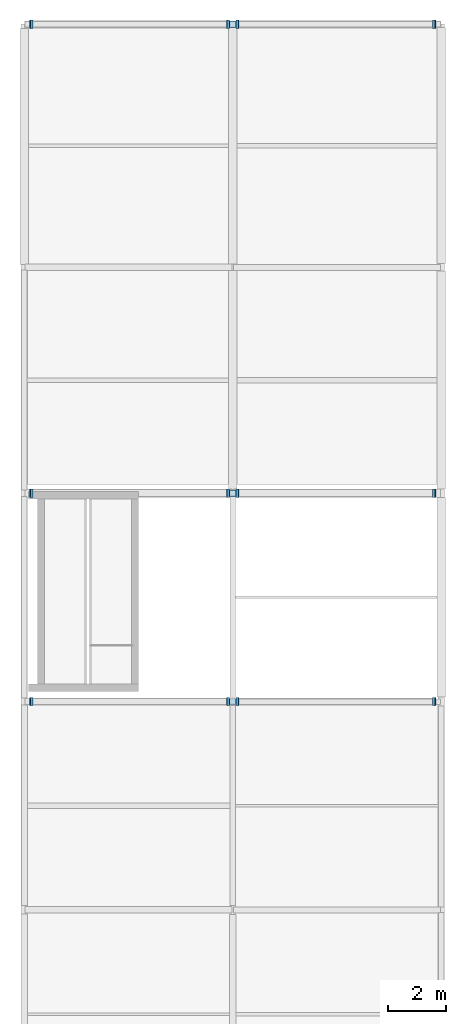
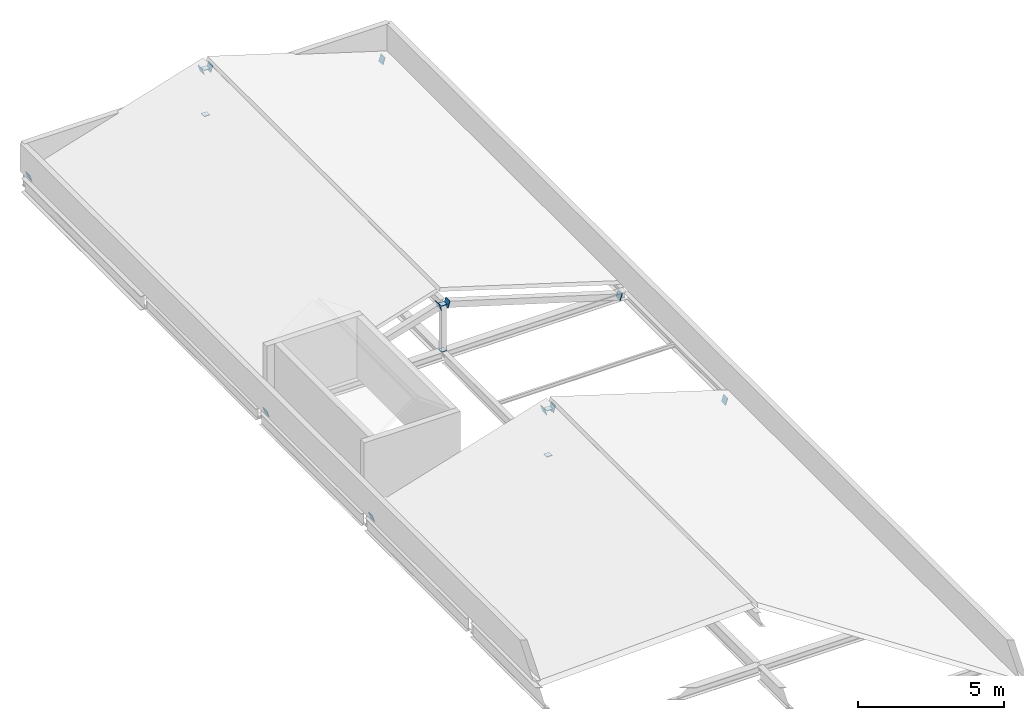
# One storey, part 7 of 9: 18 plates.
"""IFC4 building model written with IfcOpenShell, lengths in metres."""

import ifcopenshell
import ifcopenshell.guid

model = None  # the IFC model being written
_history = None  # IfcOwnerHistory: only IFC2X3 demands one
_inside = {}  # id of a spatial element -> (the spatial element, [elements in it])
_under = {}  # id of a project, library or spatial element -> (it, [spatial elements below it])
_declared = {}  # id of a project -> (the project, [libraries it declares])
_typed = {}  # id of a type object -> (the type object, [elements of that type])
_made_of = {}  # id of a material, layer set ... -> (it, [elements and type objects made of it])


def new_model(schema):
    """Start an empty IFC model of exactly this schema.

    Asked for "IFC4X3", IfcOpenShell would pick the latest addendum, in which some entities
    have other attributes; the version numbers below select the first issue.
    IFC2X3 requires an IfcOwnerHistory on every rooted entity: one is made here for all.
    """
    global model, _history
    if schema == "IFC4X3":
        model = ifcopenshell.file(schema_version=(4, 3, 0, 0))
    else:
        model = ifcopenshell.file(schema=schema)
    _inside.clear()
    _under.clear()
    _declared.clear()
    _typed.clear()
    _made_of.clear()
    _history = None
    if model.schema == "IFC2X3":
        org = make("IfcOrganization", Name="unknown")
        user = make(
            "IfcPersonAndOrganization",
            ThePerson=make("IfcPerson", FamilyName="unknown"),
            TheOrganization=org,
        )
        app = make(
            "IfcApplication",
            ApplicationDeveloper=org,
            Version="unknown",
            ApplicationFullName="unknown",
            ApplicationIdentifier="unknown",
        )
        _history = make(
            "IfcOwnerHistory",
            OwningUser=user,
            OwningApplication=app,
            ChangeAction="ADDED",
            CreationDate=0,
        )
    return model


def make(cls, **values):
    """One entity of the class cls with the attributes given. An attribute that is None is left unset."""
    return model.create_entity(
        cls, **{name: value for name, value in values.items() if value is not None}
    )


def rooted(cls, **values):
    """An entity with a GlobalId (a new one), such as an element, a storey or a relation."""
    return make(cls, GlobalId=ifcopenshell.guid.new(), OwnerHistory=_history, **values)


def si_unit(unit_type, name, prefix=None):
    """IfcSIUnit, for example si_unit("LENGTHUNIT", "METRE", prefix="MILLI")."""
    return make("IfcSIUnit", UnitType=unit_type, Prefix=prefix, Name=name)


def assignment(units):
    """IfcUnitAssignment: the units of a project."""
    return None if units is None else make("IfcUnitAssignment", Units=units)


def point(xyz):
    """IfcCartesianPoint."""
    return None if xyz is None else make("IfcCartesianPoint", Coordinates=xyz)


def direction(xyz):
    """IfcDirection."""
    return None if xyz is None else make("IfcDirection", DirectionRatios=xyz)


def frame(location, z_axis=None, x_axis=None):
    """IfcAxis2Placement3D, a coordinate frame: its origin and axes. An axis left out is left unset."""
    return make(
        "IfcAxis2Placement3D",
        Location=point(location),
        Axis=direction(z_axis),
        RefDirection=direction(x_axis),
    )


def frame_2d(location, x_axis=None):
    """IfcAxis2Placement2D, a coordinate frame in the plane: its origin and x axis."""
    return make(
        "IfcAxis2Placement2D", Location=point(location), RefDirection=direction(x_axis)
    )


def origin():
    """The frame at (0, 0, 0) with its axes left unset."""
    return frame((0.0, 0.0, 0.0))


def origin_2d():
    """The frame at (0, 0) in the plane with its x axis left unset."""
    return frame_2d((0.0, 0.0))


def place(relative_to, where):
    """IfcLocalPlacement: puts the frame where relative to a parent placement (None: the world)."""
    return make(
        "IfcLocalPlacement", PlacementRelTo=relative_to, RelativePlacement=where
    )


def context(
    kind, dimensions, precision=None, world=None, true_north=None, identifier=None
):
    """IfcGeometricRepresentationContext, for example the 3D "Model" context."""
    return make(
        "IfcGeometricRepresentationContext",
        ContextIdentifier=identifier,
        ContextType=kind,
        CoordinateSpaceDimension=dimensions,
        Precision=precision,
        WorldCoordinateSystem=world,
        TrueNorth=true_north,
    )


def subcontext(parent, identifier, kind, view, scale=None):
    """IfcGeometricRepresentationSubContext, for example "Body" below "Model"."""
    return make(
        "IfcGeometricRepresentationSubContext",
        ContextIdentifier=identifier,
        ContextType=kind,
        ParentContext=parent,
        TargetScale=scale,
        TargetView=view,
    )


def project(units=None, contexts=None):
    """IfcProject with its units and contexts."""
    return rooted(
        "IfcProject",
        Name="project",
        RepresentationContexts=contexts,
        UnitsInContext=assignment(units),
    )


def spatial(cls, under=None, at=None, **own):
    """A site, building, storey or space (cls), placed at a placement, below another one or the project."""
    s = rooted(cls, ObjectPlacement=at, **own)
    if under is not None:
        _under.setdefault(under.id(), (under, []))[1].append(s)
    return s


def profile(cls, at=None, kind="AREA", **sizes):
    """A parametric profile (cls). Its sizes go by their IFC names, for example OverallWidth=200.0."""
    return make(cls, ProfileType=kind, Position=at, **sizes)


def rectangle(**sizes):
    """IfcRectangleProfileDef."""
    return profile("IfcRectangleProfileDef", **sizes)


def extrude(swept, where, along, depth):
    """IfcExtrudedAreaSolid: the profile swept, set in the frame where, extruded along a direction by depth."""
    return make(
        "IfcExtrudedAreaSolid",
        SweptArea=swept,
        Position=where,
        ExtrudedDirection=direction(along),
        Depth=depth,
    )


def shape(context_of_items, identifier, shape_type, items):
    """IfcShapeRepresentation: the items that make up one representation, for example the "Body"."""
    return make(
        "IfcShapeRepresentation",
        ContextOfItems=context_of_items,
        RepresentationIdentifier=identifier,
        RepresentationType=shape_type,
        Items=items,
    )


def material(Name=None, Category=None):
    """IfcMaterial."""
    return make("IfcMaterial", Name=Name, Category=Category)


def material_profile(
    of_material, cross_section, Name=None, Category=None, Priority=None
):
    """IfcMaterialProfile: a cross section and its material."""
    return make(
        "IfcMaterialProfile",
        Name=Name,
        Material=of_material,
        Profile=cross_section,
        Priority=Priority,
        Category=Category,
    )


def profile_set(profiles, Name=None, composite=None):
    """IfcMaterialProfileSet."""
    return make(
        "IfcMaterialProfileSet",
        Name=Name,
        MaterialProfiles=profiles,
        CompositeProfile=composite,
    )


def made_of(thing, what):
    """Note that an element or type object is made of a material, layer set ...; save() writes the relation."""
    if what is not None:
        _made_of.setdefault(what.id(), (what, []))[1].append(thing)
    return thing


def type_object(cls, material=None, **own):
    """A type object (cls), such as IfcWallType, which elements share."""
    return made_of(rooted(cls, **own), material)


def element(
    cls,
    number,
    at=None,
    inside=None,
    cuts=None,
    type_object=None,
    material=None,
    context=None,
    identifier="Body",
    shape_type=None,
    held_by="IfcProductDefinitionShape",
    body=None,
    shapes=None,
    **own,
):
    """One element of the class cls, such as IfcWall. Its Tag is "e" and its number.

    at: its placement. inside: the storey or other place that contains it. cuts: it is an
    opening in that element (IfcRelVoidsElement). A single representation is given by context,
    identifier, shape_type and body (its items); several are given by shapes. held_by: the class
    of the entity that holds the representations. save() writes the other relations.
    """
    e = rooted(cls, Tag="e%d" % number, ObjectPlacement=at, **own)
    if body is not None:
        shapes = [shape(context, identifier, shape_type, body)]
    if shapes is not None:
        e.Representation = make(held_by, Representations=shapes)
    if inside is not None:
        _inside.setdefault(inside.id(), (inside, []))[1].append(e)
    if cuts is not None:
        rooted(
            "IfcRelVoidsElement", RelatingBuildingElement=cuts, RelatedOpeningElement=e
        )
    if type_object is not None:
        _typed.setdefault(type_object.id(), (type_object, []))[1].append(e)
    return made_of(e, material)


def aggregate(whole, parts):
    """IfcRelAggregates: a whole, such as a stair, and the parts it consists of."""
    return rooted("IfcRelAggregates", RelatingObject=whole, RelatedObjects=parts)


def save(model, path):
    """Write the relations noted so far, then the file.

    IfcRelAggregates (storeys below a building ...), IfcRelContainedInSpatialStructure (elements
    in a storey), IfcRelDefinesByType, IfcRelAssociatesMaterial and IfcRelDeclares: one each for
    every whole, place, type object, material and project.
    """
    for whole, parts in _under.values():
        aggregate(whole, parts)
    for where, things in _inside.values():
        rooted(
            "IfcRelContainedInSpatialStructure",
            RelatedElements=things,
            RelatingStructure=where,
        )
    for kind, things in _typed.values():
        rooted("IfcRelDefinesByType", RelatedObjects=things, RelatingType=kind)
    for what, things in _made_of.values():
        rooted("IfcRelAssociatesMaterial", RelatedObjects=things, RelatingMaterial=what)
    for by, libraries in _declared.values():
        rooted("IfcRelDeclares", RelatingContext=by, RelatedDefinitions=libraries)
    model.write(path)


model = new_model("IFC4")

# Units and contexts
model_context = context("Model", 3, precision=1e-05, world=origin(), true_north=direction((0.0, 1.0)))
body_context = subcontext(model_context, "Body", "Model", "MODEL_VIEW")
ifc_project = project(units=[si_unit("LENGTHUNIT", "METRE"), si_unit("AREAUNIT", "SQUARE_METRE"), si_unit("VOLUMEUNIT", "CUBIC_METRE"), si_unit("PLANEANGLEUNIT", "RADIAN"), si_unit("MASSUNIT", "GRAM", prefix="KILO")], contexts=[model_context])

# Site, building, storey
site_placement = place(None, origin())
site = spatial("IfcSite", under=ifc_project, at=site_placement, CompositionType="ELEMENT")
building_placement = place(site_placement, origin())
building = spatial("IfcBuilding", under=site, at=building_placement, Name="Vinh Khe Railworks Police Headquarters", CompositionType="ELEMENT")
storey_placement = place(building_placement, frame((0.0, 0.0, 36.60009765625)))
storey = spatial("IfcBuildingStorey", under=building, at=storey_placement, Name="RF", CompositionType="ELEMENT", Elevation=36.60009765625)

# Plates
ifc_material = material(Name="Steel S355JR", Category="steel")
ifc_material_profile_1 = material_profile(ifc_material, rectangle(XDim=0.219970703125, YDim=0.219970703125, at=origin_2d()), Name="PL 220x220")
ifc_profile_set_1 = profile_set([ifc_material_profile_1], Name="Steel S355JR")
plate_type_1 = type_object("IfcPlateType", Name="Steel End-Cap Plate 220x220x24", PredefinedType="SHEET", material=ifc_profile_set_1)
for number, where, z_axis, x_axis, name in (
    (1, (7.800048828125, 81.0, -0.18017578125), (0.0, 0.0, -1.0), (1.0, 0.0, 0.0), "End-Cap Gusset Plate PLT-EP-0115"),
    (2, (7.800048828125, 81.0, 1.719970703125), (0.0, 0.0, 1.0), (1.0, 0.0, 0.0), "End-Cap Gusset Plate PLT-EP-0116"),
    (3, (7.800048828125, 88.199951171875, -0.18017578125), (0.0, 0.0, -1.0), (1.0, 0.0, 0.0), "End-Cap Gusset Plate PLT-EP-0117"),
    (4, (7.800048828125, 88.199951171875, 1.719970703125), (0.0, 0.0, 1.0), (1.0, 0.0, 0.0), "End-Cap Gusset Plate PLT-EP-0118"),
    (5, (7.800048828125, 104.39990234375, -0.18017578125), (0.0, 0.0, -1.0), (1.0, 0.0, 0.0), "End-Cap Gusset Plate PLT-EP-0119"),
    (6, (7.800048828125, 104.39990234375, 1.719970703125), (0.0, 0.0, 1.0), (1.0, 0.0, 0.0), "End-Cap Gusset Plate PLT-EP-0120"),
):
    element("IfcPlate", number, at=place(storey_placement, frame(where, z_axis=z_axis, x_axis=x_axis)), inside=storey, type_object=plate_type_1, Name=name, PredefinedType="SHEET", context=body_context, shape_type="SweptSolid", body=[
        extrude(rectangle(XDim=0.219970703125, YDim=0.219970703125, at=origin_2d()), origin(), (0.0, 0.0, 1.0), 0.02392578125),
    ])
ifc_material_profile_2 = material_profile(ifc_material, rectangle(XDim=0.2900390625, YDim=0.2900390625, at=origin_2d()), Name="PL 290x290")
ifc_profile_set_2 = profile_set([ifc_material_profile_2], Name="Steel S355JR")
plate_type_2 = type_object("IfcPlateType", Name="Steel End-Cap Plate 290x290x24", PredefinedType="SHEET", material=ifc_profile_set_2)
for number, where, z_axis, x_axis, name in (
    (7, (0.85009765625, 81.0, -0.340087890625), (-0.955558946739, 0.0, -0.29480010059), (0.0, -1.0, 0.0), "End-Cap Gusset Plate PLT-EP-0100"),
    (8, (0.85009765625, 88.199951171875, -0.340087890625), (-0.955558946739, 0.0, -0.29480010059), (0.0, -1.0, 0.0), "End-Cap Gusset Plate PLT-EP-0101"),
    (9, (0.85009765625, 104.39990234375, -0.340087890625), (-0.955558946739, 0.0, -0.29480010059), (0.0, -1.0, 0.0), "End-Cap Gusset Plate PLT-EP-0102"),
    (10, (7.6201171875, 81.0, 1.719970703125), (0.958385683586, 0.0, 0.2854765866), (0.0, 1.0, 0.0), "End-Cap Gusset Plate PLT-EP-0106"),
    (11, (7.6201171875, 88.199951171875, 1.719970703125), (0.958385683586, 0.0, 0.2854765866), (0.0, 1.0, 0.0), "End-Cap Gusset Plate PLT-EP-0107"),
    (12, (7.6201171875, 104.39990234375, 1.719970703125), (0.958385683586, 0.0, 0.2854765866), (0.0, 1.0, 0.0), "End-Cap Gusset Plate PLT-EP-0108"),
    (13, (7.97998046875, 81.0, 1.719970703125), (-0.958385683586, 0.0, 0.2854765866), (0.0, -1.0, 0.0), "End-Cap Gusset Plate PLT-EP-0124"),
    (14, (7.97998046875, 88.199951171875, 1.719970703125), (-0.958385683586, 0.0, 0.2854765866), (0.0, -1.0, 0.0), "End-Cap Gusset Plate PLT-EP-0125"),
    (15, (7.97998046875, 104.39990234375, 1.719970703125), (-0.958385683586, 0.0, 0.2854765866), (0.0, -1.0, 0.0), "End-Cap Gusset Plate PLT-EP-0126"),
    (16, (14.75, 81.0, -0.340087890625), (0.955558946739, 0.0, -0.29480010059), (0.0, 1.0, 0.0), "End-Cap Gusset Plate PLT-EP-0130"),
    (17, (14.75, 88.199951171875, -0.340087890625), (0.955558946739, 0.0, -0.29480010059), (0.0, 1.0, 0.0), "End-Cap Gusset Plate PLT-EP-0131"),
    (18, (14.75, 104.39990234375, -0.340087890625), (0.955558946739, 0.0, -0.29480010059), (0.0, 1.0, 0.0), "End-Cap Gusset Plate PLT-EP-0132"),
):
    element("IfcPlate", number, at=place(storey_placement, frame(where, z_axis=z_axis, x_axis=x_axis)), inside=storey, type_object=plate_type_2, Name=name, PredefinedType="SHEET", context=body_context, shape_type="SweptSolid", body=[
        extrude(rectangle(XDim=0.2900390625, YDim=0.2900390625, at=origin_2d()), origin(), (0.0, 0.0, 1.0), 0.02392578125),
    ])

save(model, "model.ifc")
